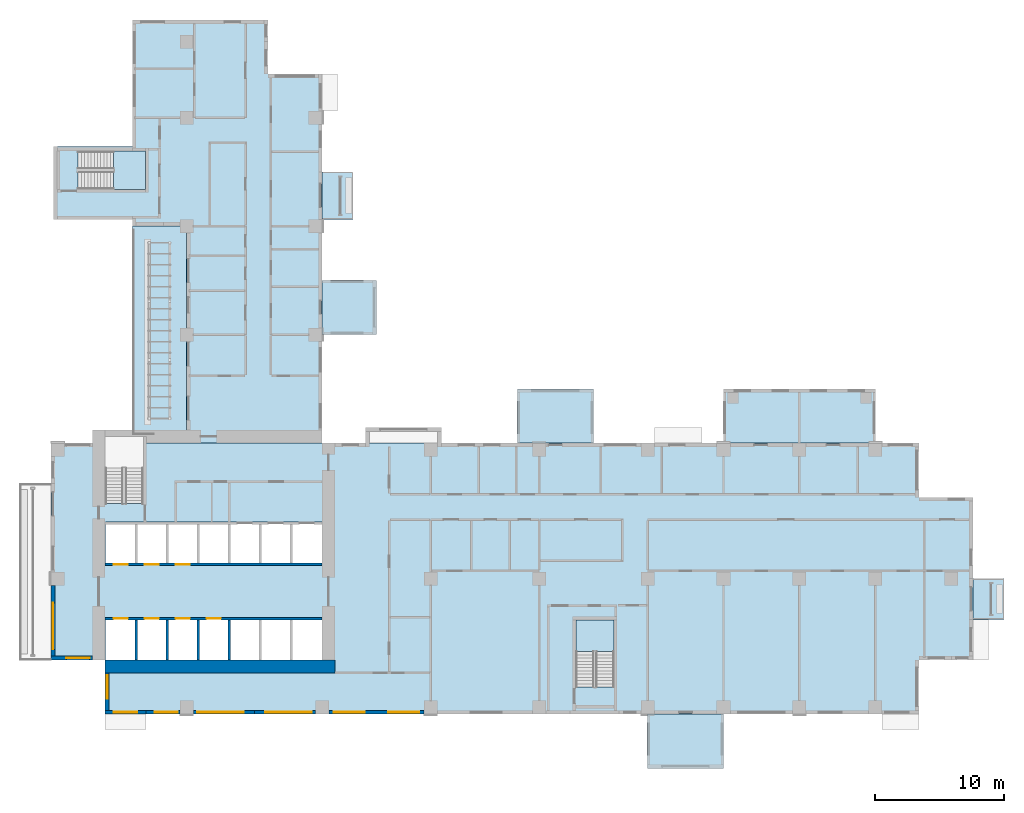
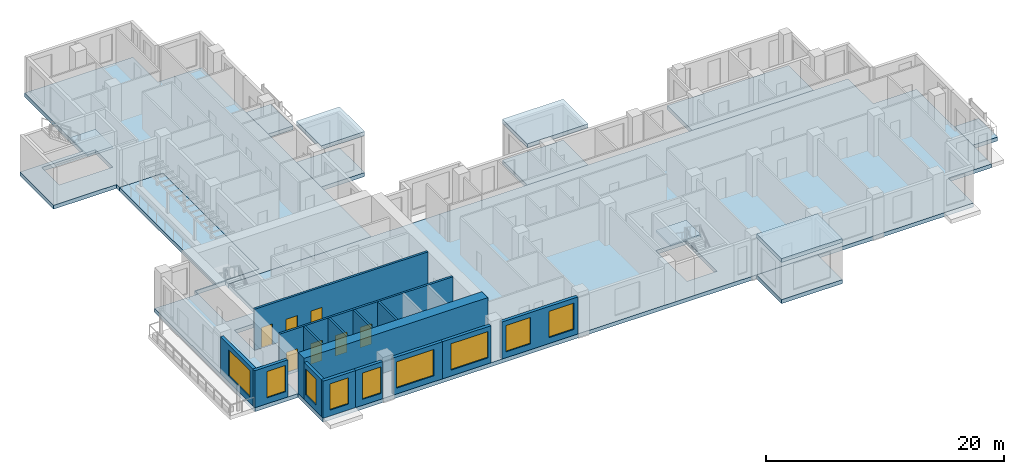
# One storey, part 3 of 16: 15 walls, 14 slabs, 9 windows, 7 doors, 16 openings, 2 elements without a shape of their own.
"""IFC4 building model written with IfcOpenShell, lengths in metres."""

from ifc_helpers import new_model, si_unit, direction, frame, frame_2d, origin, place, context, subcontext, project, spatial, polyline, rectangle, outline, extrude, source, transform, mapped, material, layer, layer_set, type_object, element, fill, aggregate, save


model = new_model("IFC4")

# Units and contexts
model_context = context("Model", 3, precision=1e-05, world=origin(), true_north=direction((0.0, 1.0)))
body_context = subcontext(model_context, "Body", "Model", "MODEL_VIEW")
ifc_project = project(units=[si_unit("LENGTHUNIT", "METRE"), si_unit("AREAUNIT", "SQUARE_METRE"), si_unit("VOLUMEUNIT", "CUBIC_METRE"), si_unit("PLANEANGLEUNIT", "RADIAN"), si_unit("MASSUNIT", "GRAM", prefix="KILO")], contexts=[model_context])

# Site, building, storey
site_placement = place(None, origin())
site = spatial("IfcSite", under=ifc_project, at=site_placement, CompositionType="ELEMENT")
building_placement = place(site_placement, origin())
building = spatial("IfcBuilding", under=site, at=building_placement, Name="Aurelian Terraces", CompositionType="ELEMENT")
storey_placement = place(building_placement, frame((0.0, 0.0, 124.5)))
storey = spatial("IfcBuildingStorey", under=building, at=storey_placement, Name="L27", CompositionType="ELEMENT", Elevation=124.5)

# Slabs
ifc_material_1 = material(Name="Concrete fc' 40 MPa", Category="concrete")
ifc_layer_1 = layer(ifc_material_1, 0.4)
ifc_layer_set_1 = layer_set([ifc_layer_1], Name="Balcony slab 400")
slab_type_1 = type_object("IfcSlabType", Name="Balcony slab 400", PredefinedType="NOTDEFINED", material=ifc_layer_set_1)
slab_1_placement = place(storey_placement, frame((0.0, 0.0, -0.4)))
element("IfcSlab", 1, at=slab_1_placement, inside=storey, type_object=slab_type_1, Name="Balcony slab L27 F08.26", PredefinedType="NOTDEFINED", context=body_context, shape_type="SweptSolid", body=[
    extrude(outline(polyline([(21.0, 38.325), (21.0, 42.0), (23.4, 42.0), (23.4, 38.325), (21.0, 38.325)])), origin(), (0.0, 0.0, 1.0), 0.4),
])
ifc_layer_2 = layer(ifc_material_1, 0.4)
ifc_layer_set_2 = layer_set([ifc_layer_2], Name="Box roof 400")
slab_type_2 = type_object("IfcSlabType", Name="Box roof 400", PredefinedType="ROOF", material=ifc_layer_set_2)
slab_2_placement = place(storey_placement, frame((0.0, 0.0, 3.8)))
element("IfcSlab", 2, at=slab_2_placement, inside=storey, type_object=slab_type_2, Name="Box roof J37", PredefinedType="ROOF", context=body_context, shape_type="SweptSolid", body=[
    extrude(outline(polyline([(42.0, 25.2), (36.12, 25.2), (36.12, 21.0), (42.0, 21.0), (42.0, 25.2)])), origin(), (0.0, 0.0, 1.0), 0.4),
])
slab_3_placement = place(storey_placement, frame((0.0, 0.0, 3.8)))
element("IfcSlab", 3, at=slab_3_placement, inside=storey, type_object=slab_type_2, Name="Box roof J38", PredefinedType="ROOF", context=body_context, shape_type="SweptSolid", body=[
    extrude(outline(polyline([(25.2, 29.4), (25.2, 33.6), (21.0, 33.6), (21.0, 29.4), (25.2, 29.4)])), origin(), (0.0, 0.0, 1.0), 0.4),
])
ifc_layer_3 = layer(ifc_material_1, 0.4)
ifc_layer_set_3 = layer_set([ifc_layer_3], Name="PT FLAT PLATE 400")
slab_type_3 = type_object("IfcSlabType", Name="PT FLAT PLATE 400", PredefinedType="FLOOR", material=ifc_layer_set_3)
slab_4_placement = place(storey_placement, frame((0.0, 0.0, -0.4)))
element("IfcSlab", 4, at=slab_4_placement, inside=storey, type_object=slab_type_3, Name="Floor slab W L27", PredefinedType="FLOOR", context=body_context, shape_type="SweptSolid", body=[
    extrude(outline(polyline([(6.3, 43.95), (6.3, 49.56), (6.3, 53.76), (10.5, 53.76), (16.8, 53.76), (16.8, 49.56), (21.0, 49.56), (21.0, 21.0), (7.14, 21.0), (7.14, 21.49), (4.21, 21.49), (4.21, 21.0), (4.2, 21.0), (4.2, 21.6), (6.3, 21.6), (10.5, 21.6), (10.5, 37.8), (6.3, 37.8), (6.3, 38.3), (0.2, 38.3), (0.2, 43.95), (6.3, 43.95)]), holes=[polyline([(7.29, 43.59), (2.11, 43.59), (2.11, 40.66), (7.29, 40.66), (7.29, 43.59)])]), origin(), (0.0, 0.0, 1.0), 0.4),
])
ifc_layer_4 = layer(ifc_material_1, 0.4001)
ifc_layer_set_4 = layer_set([ifc_layer_4], Name="Terrace slab 400")
slab_type_4 = type_object("IfcSlabType", Name="Terrace slab 400", PredefinedType="NOTDEFINED", material=ifc_layer_set_4)
slab_5_placement = place(storey_placement, frame((0.0, 0.0, -0.4001)))
element("IfcSlab", 5, at=slab_5_placement, inside=storey, type_object=slab_type_4, Name="Sky terrace L27 SKY-04-T1", PredefinedType="NOTDEFINED", context=body_context, shape_type="SweptSolid", body=[
    extrude(outline(polyline([(10.5, 21.6), (6.3, 21.6), (6.3, 37.8), (10.5, 37.8), (10.5, 21.6)])), origin(), (0.0, 0.0, 1.0), 0.4001),
])
shared_shape_1 = source(origin(), body_context, "Body", "SweptSolid", [
    extrude(outline(polyline([(67.2, 16.8), (71.4, 16.8), (71.4, 4.2), (67.2, 4.2), (67.2, 0.0), (21.0, 0.0), (4.2, 0.0), (4.2, 4.2), (0.0, 4.2), (0.0, 21.0), (4.21, 21.0), (4.21, 16.31), (7.14, 16.31), (7.14, 21.0), (21.0, 21.0), (67.2, 21.0), (67.2, 16.8)]), holes=[polyline([(40.66, 2.11), (43.59, 2.11), (43.59, 7.29), (40.66, 7.29), (40.66, 2.11)]), polyline([(4.21, 7.49), (4.21, 4.21), (20.99, 4.21), (20.99, 7.49), (4.21, 7.49)]), polyline([(4.21, 14.89), (4.21, 11.51), (20.99, 11.51), (20.99, 14.89), (4.21, 14.89)])]), origin(), (0.0, 0.0, 1.0), 0.4),
])
slab_6_placement = place(storey_placement, frame((0.0, 0.0, -0.4)))
element("IfcSlab", 6, at=slab_6_placement, inside=storey, type_object=slab_type_3, Name="Floor slab S L27", PredefinedType="FLOOR", context=body_context, shape_type="MappedRepresentation", body=[
    mapped(shared_shape_1, transform((0.0, 0.0, 0.0), scale=1.0)),
])
ifc_layer_5 = layer(ifc_material_1, 0.41)
ifc_layer_set_5 = layer_set([ifc_layer_5], Name="Box floor 410")
slab_type_5 = type_object("IfcSlabType", Name="Box floor 410", PredefinedType="NOTDEFINED", material=ifc_layer_set_5)
shared_shape_2 = source(origin(), body_context, "Body", "SweptSolid", [
    extrude(outline(polyline([(46.2, -4.2), (52.08, -4.2), (52.08, 0.0), (46.2, 0.0), (46.2, -4.2)])), origin(), (0.0, 0.0, 1.0), 0.41),
])
slab_7_placement = place(storey_placement, frame((0.0, 0.0, -0.41)))
element("IfcSlab", 7, at=slab_7_placement, inside=storey, type_object=slab_type_5, Name="Box floor L27 J36", PredefinedType="NOTDEFINED", context=body_context, shape_type="MappedRepresentation", body=[
    mapped(shared_shape_2, transform((0.0, 0.0, 0.0), scale=1.0)),
])
shared_shape_3 = source(origin(), body_context, "Body", "SweptSolid", [
    extrude(outline(polyline([(46.2, -4.2), (52.08, -4.2), (52.08, 0.0), (46.2, 0.0), (46.2, -4.2)])), origin(), (0.0, 0.0, 1.0), 0.4),
])
slab_8_placement = place(storey_placement, frame((0.0, 0.0, 3.8)))
element("IfcSlab", 8, at=slab_8_placement, inside=storey, type_object=slab_type_2, Name="Box roof J36", PredefinedType="ROOF", context=body_context, shape_type="MappedRepresentation", body=[
    mapped(shared_shape_3, transform((0.0, 0.0, 0.0), scale=1.0)),
])
shared_shape_4 = source(origin(), body_context, "Body", "SweptSolid", [
    extrude(outline(polyline([(71.4, 7.35), (71.4, 10.5), (73.8, 10.5), (73.8, 7.35), (71.4, 7.35)])), origin(), (0.0, 0.0, 1.0), 0.4),
])
slab_9_placement = place(storey_placement, frame((0.0, 0.0, -0.4)))
element("IfcSlab", 9, at=slab_9_placement, inside=storey, type_object=slab_type_1, Name="Balcony slab L27 F04.16", PredefinedType="NOTDEFINED", context=body_context, shape_type="MappedRepresentation", body=[
    mapped(shared_shape_4, transform((0.0, 0.0, 0.0), scale=1.0)),
])
shared_shape_5 = source(origin(), body_context, "Body", "SweptSolid", [
    extrude(outline(polyline([(63.84, 25.2), (52.08, 25.2), (52.08, 21.0), (63.84, 21.0), (63.84, 25.2)])), origin(), (0.0, 0.0, 1.0), 0.41),
])
slab_10_placement = place(storey_placement, frame((0.0, 0.0, -0.41)))
element("IfcSlab", 10, at=slab_10_placement, inside=storey, type_object=slab_type_5, Name="Box floor L27 K02", PredefinedType="NOTDEFINED", context=body_context, shape_type="MappedRepresentation", body=[
    mapped(shared_shape_5, transform((0.0, 0.0, 0.0), scale=1.0)),
])
shared_shape_6 = source(origin(), body_context, "Body", "SweptSolid", [
    extrude(outline(polyline([(42.0, 25.2), (36.12, 25.2), (36.12, 21.0), (42.0, 21.0), (42.0, 25.2)])), origin(), (0.0, 0.0, 1.0), 0.41),
])
slab_11_placement = place(storey_placement, frame((0.0, 0.0, -0.41)))
element("IfcSlab", 11, at=slab_11_placement, inside=storey, type_object=slab_type_5, Name="Box floor L27 J37", PredefinedType="NOTDEFINED", context=body_context, shape_type="MappedRepresentation", body=[
    mapped(shared_shape_6, transform((0.0, 0.0, 0.0), scale=1.0)),
])
shared_shape_7 = source(origin(), body_context, "Body", "SweptSolid", [
    extrude(outline(polyline([(25.2, 29.4), (25.2, 33.6), (21.0, 33.6), (21.0, 29.4), (25.2, 29.4)])), origin(), (0.0, 0.0, 1.0), 0.41),
])
slab_12_placement = place(storey_placement, frame((0.0, 0.0, -0.41)))
element("IfcSlab", 12, at=slab_12_placement, inside=storey, type_object=slab_type_5, Name="Box floor L27 J38", PredefinedType="NOTDEFINED", context=body_context, shape_type="MappedRepresentation", body=[
    mapped(shared_shape_7, transform((0.0, 0.0, 0.0), scale=1.0)),
])

# Stair, slab
stair_type = type_object("IfcStairType", Name="Stair 1400", PredefinedType="HALF_TURN_STAIR", material=ifc_material_1)
stair_1_placement = place(storey_placement, origin())
stair_1 = element("IfcStair", 13, at=stair_1_placement, inside=storey, type_object=stair_type, Name="L27 S2", PredefinedType="HALF_TURN_STAIR")
ifc_layer_6 = layer(ifc_material_1, 0.2)
ifc_layer_set_6 = layer_set([ifc_layer_6], Name="Stair landing 200")
slab_type_6 = type_object("IfcSlabType", Name="Stair landing 200", PredefinedType="LANDING", material=ifc_layer_set_6)
shared_shape_8 = source(origin(), body_context, "Body", "SweptSolid", [
    extrude(outline(polyline([(43.6, 4.85), (43.6, 7.3), (40.65, 7.3), (40.65, 4.85), (43.6, 4.85)])), origin(), (0.0, 0.0, 1.0), 0.2),
])
slab_13_placement = place(storey_placement, frame((0.0, 0.0, 1.9)))
slab_13 = element("IfcSlab", 14, at=slab_13_placement, type_object=slab_type_6, Name="S2 landing 1", PredefinedType="LANDING", context=body_context, shape_type="MappedRepresentation", body=[
    mapped(shared_shape_8, transform((0.0, 0.0, 0.0), scale=1.0)),
])
aggregate(stair_1, [slab_13])

stair_2_placement = place(storey_placement, origin())
stair_2 = element("IfcStair", 15, at=stair_2_placement, inside=storey, type_object=stair_type, Name="L27 S3", PredefinedType="HALF_TURN_STAIR")
shared_shape_9 = source(origin(), body_context, "Body", "SweptSolid", [
    extrude(outline(polyline([(4.85, 40.65), (7.3, 40.65), (7.3, 43.6), (4.85, 43.6), (4.85, 40.65)])), origin(), (0.0, 0.0, 1.0), 0.2),
])
slab_14_placement = place(storey_placement, frame((0.0, 0.0, 1.9)))
slab_14 = element("IfcSlab", 16, at=slab_14_placement, type_object=slab_type_6, Name="S3 landing 1", PredefinedType="LANDING", context=body_context, shape_type="MappedRepresentation", body=[
    mapped(shared_shape_9, transform((0.0, 0.0, 0.0), scale=1.0)),
])
aggregate(stair_2, [slab_14])

# Wall, opening, window
ifc_material_2 = material(Name="Terracotta rainscreen cladding", Category="masonry")
ifc_layer_7 = layer(ifc_material_2, 0.3)
ifc_layer_set_7 = layer_set([ifc_layer_7], Name="EW-300")
wall_type_1 = type_object("IfcWallType", Name="EW-300", PredefinedType="STANDARD", material=ifc_layer_set_7)
wall_1_placement = place(storey_placement, frame((11.025, 0.15, 0.0), z_axis=(0.0, 0.0, 1.0), x_axis=(1.0, 0.0, 0.0)))
wall_1 = element("IfcWall", 17, at=wall_1_placement, inside=storey, type_object=wall_type_1, Name="External wall L27 F01.3", PredefinedType="STANDARD", context=body_context, shape_type="SweptSolid", body=[
    extrude(rectangle(XDim=4.725, YDim=0.3, at=frame_2d((2.3625, 0.0))), origin(), (0.0, 0.0, 1.0), 3.8),
])
shared_shape_10 = source(origin(), body_context, "Body", "SweptSolid", [
    extrude(rectangle(XDim=3.6, YDim=2.7, at=frame_2d((1.8, 1.35))), frame((0.0, 0.16, 0.0), z_axis=(0.0, -1.0, 0.0), x_axis=(1.0, 0.0, 0.0)), (0.0, 0.0, 1.0), 0.32),
])
opening_1_placement = place(wall_1_placement, frame((0.3, 0.0, 0.6)))
opening_1 = element("IfcOpeningElement", 18, at=opening_1_placement, cuts=wall_1, Name="Opening W3627", PredefinedType="OPENING", context=body_context, shape_type="MappedRepresentation", body=[
    mapped(shared_shape_10, transform((0.0, 0.0, 0.0), scale=1.0)),
])
ifc_material_3 = material(Name="Clear glazing", Category="glass")
window_type_1 = type_object("IfcWindowType", Name="W-3600x2700", PartitioningType="SINGLE_PANEL", PredefinedType="WINDOW", material=ifc_material_3)
shared_shape_11 = source(origin(), body_context, "Body", "SweptSolid", [
    extrude(rectangle(XDim=3.6, YDim=2.7, at=frame_2d((1.8, 1.35))), frame((0.0, 0.03, 0.0), z_axis=(0.0, -1.0, 0.0), x_axis=(1.0, 0.0, 0.0)), (0.0, 0.0, 1.0), 0.06),
])
window_1_placement = place(opening_1_placement, origin())
window_1 = element("IfcWindow", 19, at=window_1_placement, inside=storey, type_object=window_type_1, Name="Window L27 L27-F01-03-0", OverallHeight=2.7, OverallWidth=3.6, PartitioningType="SINGLE_PANEL", PredefinedType="WINDOW", context=body_context, shape_type="MappedRepresentation", body=[
    mapped(shared_shape_11, transform((0.0, 0.0, 0.0), scale=1.0)),
])
fill(opening_1, window_1)

# Wall
ifc_material_4 = material(Name="Concrete fc' 83 MPa", Category="concrete")
ifc_layer_8 = layer(ifc_material_4, 1.0)
ifc_layer_set_8 = layer_set([ifc_layer_8], Name="CORE WALL 1000 FC83")
wall_type_2 = type_object("IfcWallType", Name="CORE WALL 1000 FC83", PredefinedType="SHEAR", material=ifc_layer_set_8)
shared_shape_12 = source(origin(), body_context, "Body", "SweptSolid", [
    extrude(rectangle(XDim=17.8, YDim=1.0, at=frame_2d((8.9, 0.0))), origin(), (0.0, 0.0, 1.0), 4.2),
])
wall_2_placement = place(storey_placement, frame((4.2, 3.7, 0.0), z_axis=(0.0, 0.0, 1.0), x_axis=(1.0, 0.0, 0.0)))
element("IfcWall", 20, at=wall_2_placement, inside=storey, type_object=wall_type_2, Name="Core wall S L27", PredefinedType="SHEAR", context=body_context, shape_type="MappedRepresentation", body=[
    mapped(shared_shape_12, transform((0.0, 0.0, 0.0), scale=1.0)),
])

# Wall, opening, window
shared_shape_13 = source(origin(), body_context, "Body", "SweptSolid", [
    extrude(rectangle(XDim=3.15, YDim=0.3, at=frame_2d((1.575, 0.0))), origin(), (0.0, 0.0, 1.0), 3.8),
])
wall_3_placement = place(storey_placement, frame((4.2, 0.15, 0.0), z_axis=(0.0, 0.0, 1.0), x_axis=(1.0, 0.0, 0.0)))
wall_3 = element("IfcWall", 21, at=wall_3_placement, inside=storey, type_object=wall_type_1, Name="External wall L27 F01.1", PredefinedType="STANDARD", context=body_context, shape_type="MappedRepresentation", body=[
    mapped(shared_shape_13, transform((0.0, 0.0, 0.0), scale=1.0)),
])
shared_shape_14 = source(origin(), body_context, "Body", "SweptSolid", [
    extrude(rectangle(XDim=1.8, YDim=2.7, at=frame_2d((0.9, 1.35))), frame((0.0, 0.16, 0.0), z_axis=(0.0, -1.0, 0.0), x_axis=(1.0, 0.0, 0.0)), (0.0, 0.0, 1.0), 0.32),
])
opening_2_placement = place(wall_3_placement, frame((0.675, 0.0, 0.6)))
opening_2 = element("IfcOpeningElement", 22, at=opening_2_placement, cuts=wall_3, Name="Opening W1827", PredefinedType="OPENING", context=body_context, shape_type="MappedRepresentation", body=[
    mapped(shared_shape_14, transform((0.0, 0.0, 0.0), scale=1.0)),
])
window_type_2 = type_object("IfcWindowType", Name="W-1800x2700", PartitioningType="SINGLE_PANEL", PredefinedType="WINDOW", material=ifc_material_3)
shared_shape_15 = source(origin(), body_context, "Body", "SweptSolid", [
    extrude(rectangle(XDim=1.8, YDim=2.7, at=frame_2d((0.9, 1.35))), frame((0.0, 0.03, 0.0), z_axis=(0.0, -1.0, 0.0), x_axis=(1.0, 0.0, 0.0)), (0.0, 0.0, 1.0), 0.06),
])
window_2_placement = place(opening_2_placement, origin())
window_2 = element("IfcWindow", 23, at=window_2_placement, inside=storey, type_object=window_type_2, Name="Window L27 L27-F01-01-0", OverallHeight=2.7, OverallWidth=1.8, PartitioningType="SINGLE_PANEL", PredefinedType="WINDOW", context=body_context, shape_type="MappedRepresentation", body=[
    mapped(shared_shape_15, transform((0.0, 0.0, 0.0), scale=1.0)),
])
fill(opening_2, window_2)

# Wall, openings, windows
shared_shape_16 = source(origin(), body_context, "Body", "SweptSolid", [
    extrude(rectangle(XDim=7.35, YDim=0.3, at=frame_2d((3.675, 0.0))), origin(), (0.0, 0.0, 1.0), 3.8),
])
wall_4_placement = place(storey_placement, frame((21.525, 0.15, 0.0), z_axis=(0.0, 0.0, 1.0), x_axis=(1.0, 0.0, 0.0)))
wall_4 = element("IfcWall", 24, at=wall_4_placement, inside=storey, type_object=wall_type_1, Name="External wall L27 F01.5", PredefinedType="STANDARD", context=body_context, shape_type="MappedRepresentation", body=[
    mapped(shared_shape_16, transform((0.0, 0.0, 0.0), scale=1.0)),
])
shared_shape_17 = source(origin(), body_context, "Body", "SweptSolid", [
    extrude(rectangle(XDim=2.4, YDim=2.7, at=frame_2d((1.2, 1.35))), frame((0.0, 0.16, 0.0), z_axis=(0.0, -1.0, 0.0), x_axis=(1.0, 0.0, 0.0)), (0.0, 0.0, 1.0), 0.32),
])
opening_3_placement = place(wall_4_placement, frame((0.375, 0.0, 0.6)))
opening_3 = element("IfcOpeningElement", 25, at=opening_3_placement, cuts=wall_4, Name="Opening W2427", PredefinedType="OPENING", context=body_context, shape_type="MappedRepresentation", body=[
    mapped(shared_shape_17, transform((0.0, 0.0, 0.0), scale=1.0)),
])
opening_4_placement = place(wall_4_placement, frame((4.575, 0.0, 0.6)))
opening_4 = element("IfcOpeningElement", 26, at=opening_4_placement, cuts=wall_4, Name="Opening W2427", PredefinedType="OPENING", context=body_context, shape_type="MappedRepresentation", body=[
    mapped(shared_shape_17, transform((0.0, 0.0, 0.0), scale=1.0)),
])
window_type_3 = type_object("IfcWindowType", Name="W-2400x2700", PartitioningType="SINGLE_PANEL", PredefinedType="WINDOW", material=ifc_material_3)
shared_shape_18 = source(origin(), body_context, "Body", "SweptSolid", [
    extrude(rectangle(XDim=2.4, YDim=2.7, at=frame_2d((1.2, 1.35))), frame((0.0, 0.03, 0.0), z_axis=(0.0, -1.0, 0.0), x_axis=(1.0, 0.0, 0.0)), (0.0, 0.0, 1.0), 0.06),
])
window_3_placement = place(opening_3_placement, origin())
window_3 = element("IfcWindow", 27, at=window_3_placement, inside=storey, type_object=window_type_3, Name="Window L27 L27-F01-05-0", OverallHeight=2.7, OverallWidth=2.4, PartitioningType="SINGLE_PANEL", PredefinedType="WINDOW", context=body_context, shape_type="MappedRepresentation", body=[
    mapped(shared_shape_18, transform((0.0, 0.0, 0.0), scale=1.0)),
])
fill(opening_3, window_3)
window_4_placement = place(opening_4_placement, origin())
window_4 = element("IfcWindow", 28, at=window_4_placement, inside=storey, type_object=window_type_3, Name="Window L27 L27-F01-05-1", OverallHeight=2.7, OverallWidth=2.4, PartitioningType="SINGLE_PANEL", PredefinedType="WINDOW", context=body_context, shape_type="MappedRepresentation", body=[
    mapped(shared_shape_18, transform((0.0, 0.0, 0.0), scale=1.0)),
])
fill(opening_4, window_4)

# Wall, opening, window
shared_shape_19 = source(origin(), body_context, "Body", "SweptSolid", [
    extrude(rectangle(XDim=3.2, YDim=0.3, at=frame_2d((1.6, 0.0))), origin(), (0.0, 0.0, 1.0), 3.8),
])
wall_5_placement = place(storey_placement, frame((0.0, 4.35, 0.0), z_axis=(0.0, 0.0, 1.0), x_axis=(1.0, 0.0, 0.0)))
wall_5 = element("IfcWall", 29, at=wall_5_placement, inside=storey, type_object=wall_type_1, Name="External wall L27 F23.45", PredefinedType="STANDARD", context=body_context, shape_type="MappedRepresentation", body=[
    mapped(shared_shape_19, transform((0.0, 0.0, 0.0), scale=1.0)),
])
opening_5_placement = place(wall_5_placement, frame((1.2, 0.0, 0.6)))
opening_5 = element("IfcOpeningElement", 30, at=opening_5_placement, cuts=wall_5, Name="Opening W1827", PredefinedType="OPENING", context=body_context, shape_type="MappedRepresentation", body=[
    mapped(shared_shape_14, transform((0.0, 0.0, 0.0), scale=1.0)),
])
window_5_placement = place(opening_5_placement, origin())
window_5 = element("IfcWindow", 31, at=window_5_placement, inside=storey, type_object=window_type_2, Name="Window L27 L27-F23-45-0", OverallHeight=2.7, OverallWidth=1.8, PartitioningType="SINGLE_PANEL", PredefinedType="WINDOW", context=body_context, shape_type="MappedRepresentation", body=[
    mapped(shared_shape_15, transform((0.0, 0.0, 0.0), scale=1.0)),
])
fill(opening_5, window_5)

wall_6_placement = place(storey_placement, frame((4.35, 3.2, 0.0), z_axis=(0.0, 0.0, 1.0), x_axis=(0.0, -1.0, 0.0)))
wall_6 = element("IfcWall", 32, at=wall_6_placement, inside=storey, type_object=wall_type_1, Name="External wall L27 F24.46", PredefinedType="STANDARD", context=body_context, shape_type="MappedRepresentation", body=[
    mapped(shared_shape_19, transform((0.0, 0.0, 0.0), scale=1.0)),
])
opening_6_placement = place(wall_6_placement, frame((0.2, 0.0, 0.6)))
opening_6 = element("IfcOpeningElement", 33, at=opening_6_placement, cuts=wall_6, Name="Opening W1827", PredefinedType="OPENING", context=body_context, shape_type="MappedRepresentation", body=[
    mapped(shared_shape_14, transform((0.0, 0.0, 0.0), scale=1.0)),
])
window_6_placement = place(opening_6_placement, origin())
window_6 = element("IfcWindow", 34, at=window_6_placement, inside=storey, type_object=window_type_2, Name="Window L27 L27-F24-46-0", OverallHeight=2.7, OverallWidth=1.8, PartitioningType="SINGLE_PANEL", PredefinedType="WINDOW", context=body_context, shape_type="MappedRepresentation", body=[
    mapped(shared_shape_15, transform((0.0, 0.0, 0.0), scale=1.0)),
])
fill(opening_6, window_6)

shared_shape_20 = source(origin(), body_context, "Body", "SweptSolid", [
    extrude(rectangle(XDim=2.625, YDim=0.3, at=frame_2d((1.3125, 0.0))), origin(), (0.0, 0.0, 1.0), 3.8),
])
wall_7_placement = place(storey_placement, frame((7.35, 0.15, 0.0), z_axis=(0.0, 0.0, 1.0), x_axis=(1.0, 0.0, 0.0)))
wall_7 = element("IfcWall", 35, at=wall_7_placement, inside=storey, type_object=wall_type_1, Name="External wall L27 F01.2", PredefinedType="STANDARD", context=body_context, shape_type="MappedRepresentation", body=[
    mapped(shared_shape_20, transform((0.0, 0.0, 0.0), scale=1.0)),
])
opening_7_placement = place(wall_7_placement, frame((0.675, 0.0, 0.6)))
opening_7 = element("IfcOpeningElement", 36, at=opening_7_placement, cuts=wall_7, Name="Opening W1827", PredefinedType="OPENING", context=body_context, shape_type="MappedRepresentation", body=[
    mapped(shared_shape_14, transform((0.0, 0.0, 0.0), scale=1.0)),
])
window_7_placement = place(opening_7_placement, origin())
window_7 = element("IfcWindow", 37, at=window_7_placement, inside=storey, type_object=window_type_2, Name="Window L27 L27-F01-02-0", OverallHeight=2.7, OverallWidth=1.8, PartitioningType="SINGLE_PANEL", PredefinedType="WINDOW", context=body_context, shape_type="MappedRepresentation", body=[
    mapped(shared_shape_15, transform((0.0, 0.0, 0.0), scale=1.0)),
])
fill(opening_7, window_7)

shared_shape_21 = source(origin(), body_context, "Body", "SweptSolid", [
    extrude(rectangle(XDim=5.775, YDim=0.3, at=frame_2d((2.8875, 0.0))), origin(), (0.0, 0.0, 1.0), 3.8),
])
wall_8_placement = place(storey_placement, frame((0.15, 9.975, 0.0), z_axis=(0.0, 0.0, 1.0), x_axis=(0.0, -1.0, 0.0)))
wall_8 = element("IfcWall", 38, at=wall_8_placement, inside=storey, type_object=wall_type_1, Name="External wall L27 F22.44", PredefinedType="STANDARD", context=body_context, shape_type="MappedRepresentation", body=[
    mapped(shared_shape_21, transform((0.0, 0.0, 0.0), scale=1.0)),
])
opening_8_placement = place(wall_8_placement, frame((1.35, 0.0, 0.6)))
opening_8 = element("IfcOpeningElement", 39, at=opening_8_placement, cuts=wall_8, Name="Opening W3627", PredefinedType="OPENING", context=body_context, shape_type="MappedRepresentation", body=[
    mapped(shared_shape_10, transform((0.0, 0.0, 0.0), scale=1.0)),
])
window_8_placement = place(opening_8_placement, origin())
window_8 = element("IfcWindow", 40, at=window_8_placement, inside=storey, type_object=window_type_1, Name="Window L27 L27-F22-44-2", OverallHeight=2.7, OverallWidth=3.6, PartitioningType="SINGLE_PANEL", PredefinedType="WINDOW", context=body_context, shape_type="MappedRepresentation", body=[
    mapped(shared_shape_11, transform((0.0, 0.0, 0.0), scale=1.0)),
])
fill(opening_8, window_8)

shared_shape_22 = source(origin(), body_context, "Body", "SweptSolid", [
    extrude(rectangle(XDim=4.725, YDim=0.3, at=frame_2d((2.3625, 0.0))), origin(), (0.0, 0.0, 1.0), 3.8),
])
wall_9_placement = place(storey_placement, frame((15.75, 0.15, 0.0), z_axis=(0.0, 0.0, 1.0), x_axis=(1.0, 0.0, 0.0)))
wall_9 = element("IfcWall", 41, at=wall_9_placement, inside=storey, type_object=wall_type_1, Name="External wall L27 F01.4", PredefinedType="STANDARD", context=body_context, shape_type="MappedRepresentation", body=[
    mapped(shared_shape_22, transform((0.0, 0.0, 0.0), scale=1.0)),
])
opening_9_placement = place(wall_9_placement, frame((0.825, 0.0, 0.6)))
opening_9 = element("IfcOpeningElement", 42, at=opening_9_placement, cuts=wall_9, Name="Opening W3627", PredefinedType="OPENING", context=body_context, shape_type="MappedRepresentation", body=[
    mapped(shared_shape_10, transform((0.0, 0.0, 0.0), scale=1.0)),
])
window_9_placement = place(opening_9_placement, origin())
window_9 = element("IfcWindow", 43, at=window_9_placement, inside=storey, type_object=window_type_1, Name="Window L27 L27-F01-04-0", OverallHeight=2.7, OverallWidth=3.6, PartitioningType="SINGLE_PANEL", PredefinedType="WINDOW", context=body_context, shape_type="MappedRepresentation", body=[
    mapped(shared_shape_11, transform((0.0, 0.0, 0.0), scale=1.0)),
])
fill(opening_9, window_9)

# Walls
ifc_layer_9 = layer(ifc_material_1, 0.2)
ifc_layer_set_9 = layer_set([ifc_layer_9], Name="Lift shaft wall 200")
wall_type_3 = type_object("IfcWallType", Name="Lift shaft wall 200", PredefinedType="SOLIDWALL", material=ifc_layer_set_9)
shared_shape_23 = source(origin(), body_context, "Body", "SweptSolid", [
    extrude(rectangle(XDim=3.1, YDim=0.2, at=frame_2d((1.55, 0.0))), origin(), (0.0, 0.0, 1.0), 4.2),
])
for number, where, z_axis, x_axis, name in (
    (44, (6.6, 4.2, 0.0), (0.0, 0.0, 1.0), (0.0, 1.0, 0.0), "L27 core wall CD-A1"),
    (45, (9.0, 4.2, 0.0), (0.0, 0.0, 1.0), (0.0, 1.0, 0.0), "L27 core wall CD-A2"),
    (46, (11.4, 4.2, 0.0), (0.0, 0.0, 1.0), (0.0, 1.0, 0.0), "L27 core wall CD-A3"),
    (47, (13.8, 4.2, 0.0), (0.0, 0.0, 1.0), (0.0, 1.0, 0.0), "L27 core wall CD-A4"),
):
    element("IfcWall", number, at=place(storey_placement, frame(where, z_axis=z_axis, x_axis=x_axis)), inside=storey, type_object=wall_type_3, Name=name, PredefinedType="SOLIDWALL", context=body_context, shape_type="MappedRepresentation", body=[
        mapped(shared_shape_23, transform((0.0, 0.0, 0.0), scale=1.0)),
    ])

# Wall, openings, doors
shared_shape_24 = source(origin(), body_context, "Body", "SweptSolid", [
    extrude(rectangle(XDim=16.8, YDim=0.2, at=frame_2d((8.4, 0.0))), origin(), (0.0, 0.0, 1.0), 4.2),
])
wall_10_placement = place(storey_placement, frame((4.2, 7.4, 0.0), z_axis=(0.0, 0.0, 1.0), x_axis=(1.0, 0.0, 0.0)))
wall_10 = element("IfcWall", 48, at=wall_10_placement, inside=storey, type_object=wall_type_3, Name="L27 core wall CF-AF1", PredefinedType="SOLIDWALL", context=body_context, shape_type="MappedRepresentation", body=[
    mapped(shared_shape_24, transform((0.0, 0.0, 0.0), scale=1.0)),
])
shared_shape_25 = source(origin(), body_context, "Body", "SweptSolid", [
    extrude(rectangle(XDim=1.1, YDim=2.1, at=frame_2d((0.55, 1.05))), frame((0.0, 0.11, 0.0), z_axis=(0.0, -1.0, 0.0), x_axis=(1.0, 0.0, 0.0)), (0.0, 0.0, 1.0), 0.22),
])
opening_10_placement = place(wall_10_placement, frame((0.65, 0.0, 0.0)))
opening_10 = element("IfcOpeningElement", 49, at=opening_10_placement, cuts=wall_10, Name="Opening 63000", PredefinedType="OPENING", context=body_context, shape_type="MappedRepresentation", body=[
    mapped(shared_shape_25, transform((0.0, 0.0, 0.0), scale=1.0)),
])
opening_11_placement = place(wall_10_placement, frame((3.05, 0.0, 0.0)))
opening_11 = element("IfcOpeningElement", 50, at=opening_11_placement, cuts=wall_10, Name="Opening 63001", PredefinedType="OPENING", context=body_context, shape_type="MappedRepresentation", body=[
    mapped(shared_shape_25, transform((0.0, 0.0, 0.0), scale=1.0)),
])
opening_12_placement = place(wall_10_placement, frame((5.45, 0.0, 0.0)))
opening_12 = element("IfcOpeningElement", 51, at=opening_12_placement, cuts=wall_10, Name="Opening 63002", PredefinedType="OPENING", context=body_context, shape_type="MappedRepresentation", body=[
    mapped(shared_shape_25, transform((0.0, 0.0, 0.0), scale=1.0)),
])
opening_13_placement = place(wall_10_placement, frame((7.85, 0.0, 0.0)))
opening_13 = element("IfcOpeningElement", 52, at=opening_13_placement, cuts=wall_10, Name="Opening 63003", PredefinedType="OPENING", context=body_context, shape_type="MappedRepresentation", body=[
    mapped(shared_shape_25, transform((0.0, 0.0, 0.0), scale=1.0)),
])
ifc_material_5 = material(Name="Stainless steel", Category="steel")
door_type = type_object("IfcDoorType", Name="Lift landing door 1100x2100", OperationType="SLIDING_TO_LEFT", PredefinedType="DOOR", material=ifc_material_5)
shared_shape_26 = source(origin(), body_context, "Body", "SweptSolid", [
    extrude(rectangle(XDim=1.1, YDim=2.1, at=frame_2d((0.55, 1.05))), frame((0.0, 0.025, 0.0), z_axis=(0.0, -1.0, 0.0), x_axis=(1.0, 0.0, 0.0)), (0.0, 0.0, 1.0), 0.05),
])
door_1_placement = place(opening_10_placement, origin())
door_1 = element("IfcDoor", 53, at=door_1_placement, inside=storey, type_object=door_type, Name="Lift landing door LL1 L27", OperationType="SLIDING_TO_LEFT", OverallHeight=2.1, OverallWidth=1.1, PredefinedType="DOOR", context=body_context, shape_type="MappedRepresentation", body=[
    mapped(shared_shape_26, transform((0.0, 0.0, 0.0), scale=1.0)),
])
fill(opening_10, door_1)
door_2_placement = place(opening_11_placement, origin())
door_2 = element("IfcDoor", 54, at=door_2_placement, inside=storey, type_object=door_type, Name="Lift landing door LL2 L27", OperationType="SLIDING_TO_LEFT", OverallHeight=2.1, OverallWidth=1.1, PredefinedType="DOOR", context=body_context, shape_type="MappedRepresentation", body=[
    mapped(shared_shape_26, transform((0.0, 0.0, 0.0), scale=1.0)),
])
fill(opening_11, door_2)
door_3_placement = place(opening_12_placement, origin())
door_3 = element("IfcDoor", 55, at=door_3_placement, inside=storey, type_object=door_type, Name="Lift landing door LL3 L27", OperationType="SLIDING_TO_LEFT", OverallHeight=2.1, OverallWidth=1.1, PredefinedType="DOOR", context=body_context, shape_type="MappedRepresentation", body=[
    mapped(shared_shape_26, transform((0.0, 0.0, 0.0), scale=1.0)),
])
fill(opening_12, door_3)
door_4_placement = place(opening_13_placement, origin())
door_4 = element("IfcDoor", 56, at=door_4_placement, inside=storey, type_object=door_type, Name="Lift landing door LL4 L27", OperationType="SLIDING_TO_LEFT", OverallHeight=2.1, OverallWidth=1.1, PredefinedType="DOOR", context=body_context, shape_type="MappedRepresentation", body=[
    mapped(shared_shape_26, transform((0.0, 0.0, 0.0), scale=1.0)),
])
fill(opening_13, door_4)

wall_11_placement = place(storey_placement, frame((4.2, 11.6, 0.0), z_axis=(0.0, 0.0, 1.0), x_axis=(1.0, 0.0, 0.0)))
wall_11 = element("IfcWall", 57, at=wall_11_placement, inside=storey, type_object=wall_type_3, Name="L27 core wall CF-BF1", PredefinedType="SOLIDWALL", context=body_context, shape_type="MappedRepresentation", body=[
    mapped(shared_shape_24, transform((0.0, 0.0, 0.0), scale=1.0)),
])
opening_14_placement = place(wall_11_placement, frame((0.65, 0.0, 0.0)))
opening_14 = element("IfcOpeningElement", 58, at=opening_14_placement, cuts=wall_11, Name="Opening 63004", PredefinedType="OPENING", context=body_context, shape_type="MappedRepresentation", body=[
    mapped(shared_shape_25, transform((0.0, 0.0, 0.0), scale=1.0)),
])
opening_15_placement = place(wall_11_placement, frame((3.05, 0.0, 0.0)))
opening_15 = element("IfcOpeningElement", 59, at=opening_15_placement, cuts=wall_11, Name="Opening 63005", PredefinedType="OPENING", context=body_context, shape_type="MappedRepresentation", body=[
    mapped(shared_shape_25, transform((0.0, 0.0, 0.0), scale=1.0)),
])
opening_16_placement = place(wall_11_placement, frame((5.45, 0.0, 0.0)))
opening_16 = element("IfcOpeningElement", 60, at=opening_16_placement, cuts=wall_11, Name="Opening 63006", PredefinedType="OPENING", context=body_context, shape_type="MappedRepresentation", body=[
    mapped(shared_shape_25, transform((0.0, 0.0, 0.0), scale=1.0)),
])
door_5_placement = place(opening_14_placement, origin())
door_5 = element("IfcDoor", 61, at=door_5_placement, inside=storey, type_object=door_type, Name="Lift landing door LL5 L27", OperationType="SLIDING_TO_LEFT", OverallHeight=2.1, OverallWidth=1.1, PredefinedType="DOOR", context=body_context, shape_type="MappedRepresentation", body=[
    mapped(shared_shape_26, transform((0.0, 0.0, 0.0), scale=1.0)),
])
fill(opening_14, door_5)
door_6_placement = place(opening_15_placement, origin())
door_6 = element("IfcDoor", 62, at=door_6_placement, inside=storey, type_object=door_type, Name="Lift landing door LL6 L27", OperationType="SLIDING_TO_LEFT", OverallHeight=2.1, OverallWidth=1.1, PredefinedType="DOOR", context=body_context, shape_type="MappedRepresentation", body=[
    mapped(shared_shape_26, transform((0.0, 0.0, 0.0), scale=1.0)),
])
fill(opening_15, door_6)
door_7_placement = place(opening_16_placement, origin())
door_7 = element("IfcDoor", 63, at=door_7_placement, inside=storey, type_object=door_type, Name="Lift landing door LL7 L27", OperationType="SLIDING_TO_LEFT", OverallHeight=2.1, OverallWidth=1.1, PredefinedType="DOOR", context=body_context, shape_type="MappedRepresentation", body=[
    mapped(shared_shape_26, transform((0.0, 0.0, 0.0), scale=1.0)),
])
fill(opening_16, door_7)

save(model, "model.ifc")
